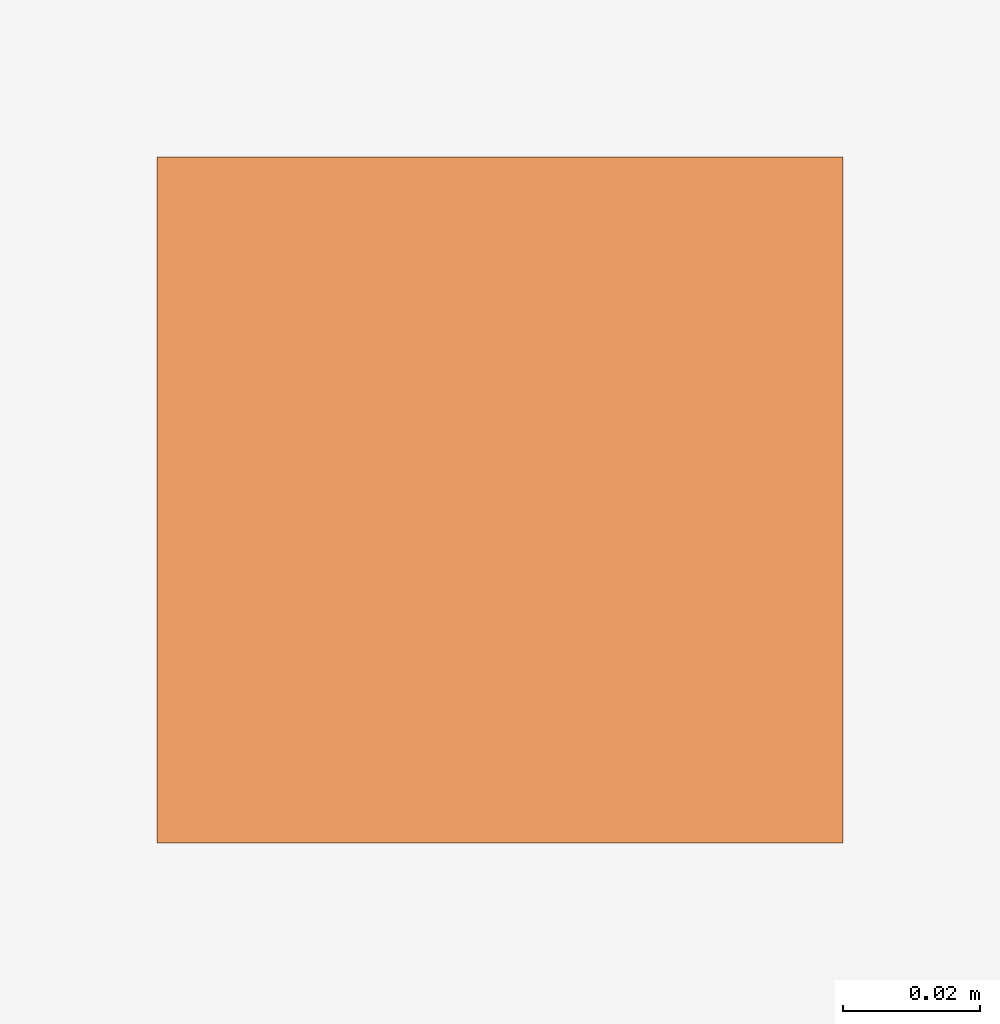
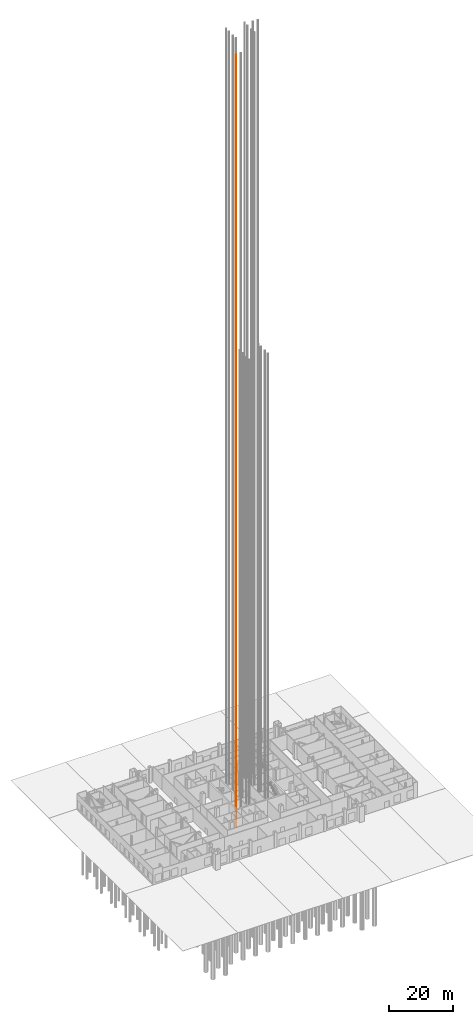
# One storey, part 17 of 36: 1 proxy.
"""IFC4 building model written with IfcOpenShell, lengths in metres."""

from ifc_helpers import new_model, si_unit, direction, frame, origin, origin_2d, place, context, subcontext, project, spatial, rectangle, extrude, material, type_object, element, save


model = new_model("IFC4")

# Units and contexts
model_context = context("Model", 3, precision=1e-05, world=origin(), true_north=direction((0.0, 1.0)))
body_context = subcontext(model_context, "Body", "Model", "MODEL_VIEW")
ifc_project = project(units=[si_unit("LENGTHUNIT", "METRE"), si_unit("AREAUNIT", "SQUARE_METRE"), si_unit("VOLUMEUNIT", "CUBIC_METRE"), si_unit("PLANEANGLEUNIT", "RADIAN"), si_unit("MASSUNIT", "GRAM", prefix="KILO")], contexts=[model_context])

# Site, building, storey
site_placement = place(None, origin())
site = spatial("IfcSite", under=ifc_project, at=site_placement, CompositionType="ELEMENT")
building_placement = place(site_placement, origin())
building = spatial("IfcBuilding", under=site, at=building_placement, Name="Malebo Sky Hospital", CompositionType="ELEMENT")
storey_placement = place(building_placement, origin())
storey = spatial("IfcBuildingStorey", under=building, at=storey_placement, Name="L00", CompositionType="ELEMENT", Elevation=0.0)

# Proxy
ifc_material = material(Name="Steel S355", Category="steel")
building_element_proxy_type = type_object("IfcBuildingElementProxyType", Name="LIFT GUIDE RAIL 100", PredefinedType="USERDEFINED", material=ifc_material)
proxy_placement = place(storey_placement, frame((52.25, 55.5, 0.0)))
element("IfcBuildingElementProxy", 1, at=proxy_placement, inside=storey, type_object=building_element_proxy_type, Name="Lift FL1 guide rail 1", ObjectType="LIFT GUIDE RAIL", PredefinedType="USERDEFINED", context=body_context, shape_type="SweptSolid", body=[
    extrude(rectangle(XDim=0.10009765625, YDim=0.10009765625, at=origin_2d()), frame((0.0, 0.0, -2.25)), (0.0, 0.0, 1.0), 295.75),
])

save(model, "model.ifc")
